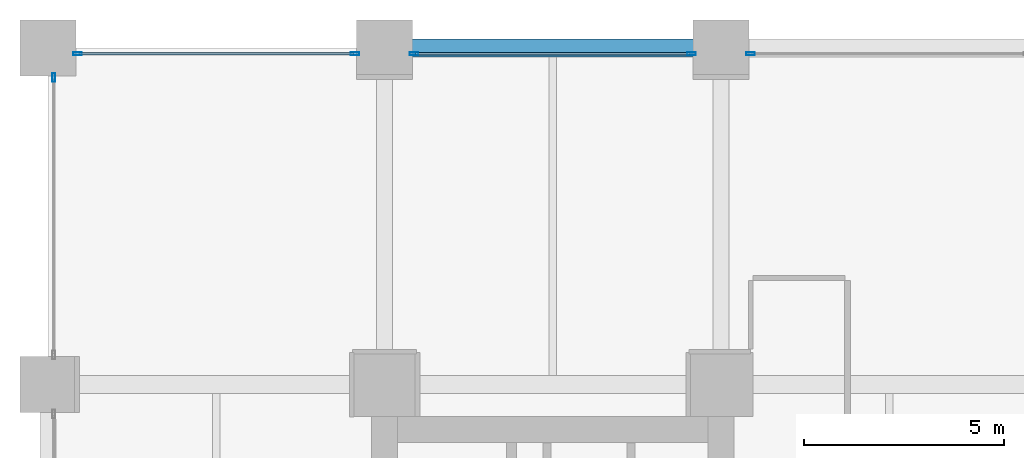
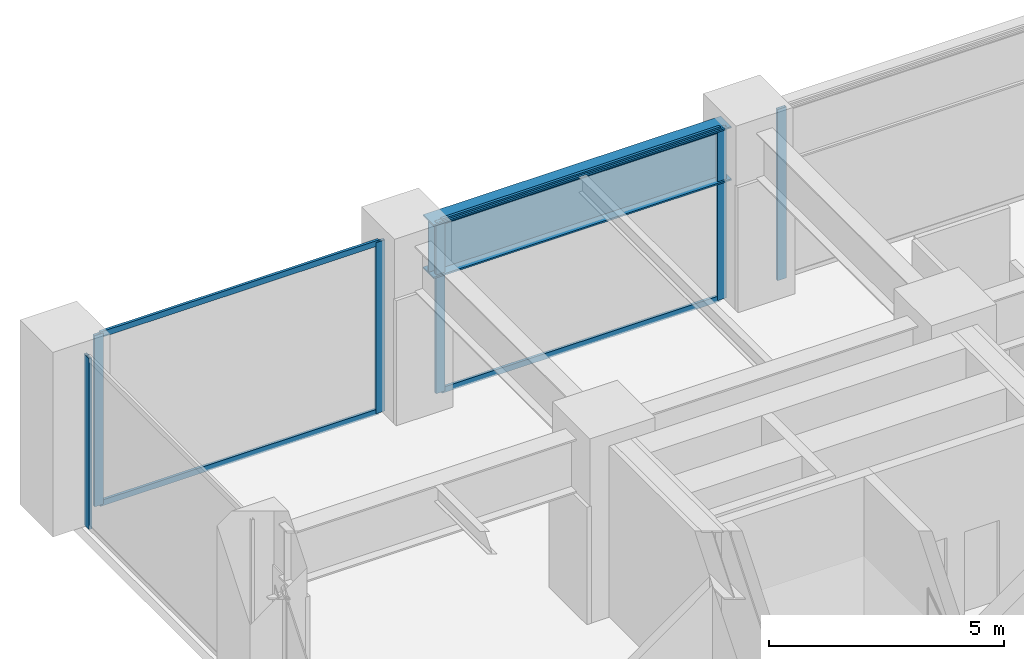
# One storey, part 12 of 24: 10 members, 1 beam, 4 elements without a shape of their own.
"""IFC4 building model written with IfcOpenShell, lengths in metres."""

from ifc_helpers import new_model, si_unit, direction, frame, origin, origin_2d, place, context, subcontext, project, spatial, hollow_rectangle, i_section, extrude, material, layer, layer_set, material_profile, profile_set, type_object, element, aggregate, save


model = new_model("IFC4")

# Units and contexts
model_context = context("Model", 3, precision=1e-05, world=origin(), true_north=direction((0.0, 1.0)))
body_context = subcontext(model_context, "Body", "Model", "MODEL_VIEW")
ifc_project = project(units=[si_unit("LENGTHUNIT", "METRE"), si_unit("AREAUNIT", "SQUARE_METRE"), si_unit("VOLUMEUNIT", "CUBIC_METRE"), si_unit("PLANEANGLEUNIT", "RADIAN"), si_unit("MASSUNIT", "GRAM", prefix="KILO")], contexts=[model_context])

# Site, building, storey
site_placement = place(None, origin())
site = spatial("IfcSite", under=ifc_project, at=site_placement, CompositionType="ELEMENT")
building_placement = place(site_placement, origin())
building = spatial("IfcBuilding", under=site, at=building_placement, Name="Nerrivon Quay Data Exchange", CompositionType="ELEMENT")
storey_placement = place(building_placement, frame((0.0, 0.0, 15.0)))
storey = spatial("IfcBuildingStorey", under=building, at=storey_placement, Name="L03", CompositionType="ELEMENT", Elevation=15.0)

# Beam
ifc_material_1 = material(Name="Steel Grade 350", Category="steel")
ifc_material_profile_1 = material_profile(ifc_material_1, i_section(OverallWidth=0.449951171875, OverallDepth=1.39990234375, WebThickness=0.02001953125, FlangeThickness=0.0400390625, at=origin_2d()), Name="1400WG455")
ifc_profile_set_1 = profile_set([ifc_material_profile_1], Name="Steel Grade 350")
beam_type = type_object("IfcBeamType", Name="BM-TG1-1400WG", PredefinedType="USERDEFINED", material=ifc_profile_set_1)
beam_placement = place(storey_placement, frame((8.93994140625, 50.39990234375, 3.75), z_axis=(1.0, 0.0, 0.0), x_axis=(0.0, 1.0, 0.0)))
element("IfcBeam", 1, at=beam_placement, inside=storey, type_object=beam_type, Name="L03 EW Girder Y=50.4 (8.4..16.8)", ObjectType="TRANSFER", PredefinedType="USERDEFINED", context=body_context, shape_type="SweptSolid", body=[
    extrude(i_section(OverallWidth=0.449951171875, OverallDepth=1.39990234375, WebThickness=0.02001953125, FlangeThickness=0.0400390625, at=origin_2d()), origin(), (0.0, 0.0, 1.0), 7.320068359375),
])

# Curtain wall, member
ifc_material_2 = material(Name="Anodised aluminium 6063-T6", Category="aluminium")
ifc_layer = layer(ifc_material_2, 0.239990234375)
ifc_layer_set = layer_set([ifc_layer], Name="Anodised aluminium 6063-T6")
curtain_wall_type = type_object("IfcCurtainWallType", Name="CW-SYS-03", PredefinedType="NOTDEFINED", material=ifc_layer_set)
curtain_wall_1_placement = place(storey_placement, origin())
curtain_wall_1 = element("IfcCurtainWall", 2, at=curtain_wall_1_placement, inside=storey, type_object=curtain_wall_type, Name="L03 Unitised Curtain Wall 6", PredefinedType="NOTDEFINED")
ifc_material_profile_2 = material_profile(ifc_material_2, hollow_rectangle(XDim=0.074951171875, YDim=0.219970703125, WallThickness=0.00390625, at=origin_2d()), Name="ALU-MULL-220x75")
ifc_profile_set_2 = profile_set([ifc_material_profile_2], Name="Anodised aluminium 6063-T6")
member_type_1 = type_object("IfcMemberType", Name="CWM-220x75", PredefinedType="MULLION", material=ifc_profile_set_2)
member_1_placement = place(storey_placement, frame((0.139892578125, 49.66259765625, 0.0), z_axis=(0.0, 0.0, 1.0), x_axis=(-1.0, 0.0, 0.0)))
member_1 = element("IfcMember", 3, at=member_1_placement, type_object=member_type_1, Name="CW03 mullion 2", PredefinedType="MULLION", context=body_context, shape_type="SweptSolid", body=[
    extrude(hollow_rectangle(XDim=0.074951171875, YDim=0.219970703125, WallThickness=0.00390625, at=origin_2d()), origin(), (0.0, 0.0, 1.0), 4.449951171875),
])
aggregate(curtain_wall_1, [member_1])

# Curtain wall, members
curtain_wall_2_placement = place(storey_placement, origin())
curtain_wall_2 = element("IfcCurtainWall", 4, at=curtain_wall_2_placement, inside=storey, type_object=curtain_wall_type, Name="L03 Unitised Curtain Wall 7", PredefinedType="NOTDEFINED")
member_2_placement = place(storey_placement, frame((0.737548828125, 50.260009765625, 0.0), z_axis=(0.0, 0.0, 1.0), x_axis=(0.0, 1.0, 0.0)))
member_2 = element("IfcMember", 5, at=member_2_placement, type_object=member_type_1, Name="CW03 mullion 1", PredefinedType="MULLION", context=body_context, shape_type="SweptSolid", body=[
    extrude(hollow_rectangle(XDim=0.074951171875, YDim=0.219970703125, WallThickness=0.00390625, at=origin_2d()), origin(), (0.0, 0.0, 1.0), 4.449951171875),
])
member_3_placement = place(storey_placement, frame((7.66259765625, 50.260009765625, 0.0), z_axis=(0.0, 0.0, 1.0), x_axis=(0.0, 1.0, 0.0)))
member_3 = element("IfcMember", 6, at=member_3_placement, type_object=member_type_1, Name="CW03 mullion 2", PredefinedType="MULLION", context=body_context, shape_type="SweptSolid", body=[
    extrude(hollow_rectangle(XDim=0.074951171875, YDim=0.219970703125, WallThickness=0.00390625, at=origin_2d()), origin(), (0.0, 0.0, 1.0), 4.449951171875),
])

curtain_wall_3_placement = place(storey_placement, origin())
curtain_wall_3 = element("IfcCurtainWall", 7, at=curtain_wall_3_placement, inside=storey, type_object=curtain_wall_type, Name="L03 Unitised Curtain Wall 8", PredefinedType="NOTDEFINED")
member_4_placement = place(storey_placement, frame((9.137451171875, 50.260009765625, 0.0), z_axis=(0.0, 0.0, 1.0), x_axis=(0.0, 1.0, 0.0)))
member_4 = element("IfcMember", 8, at=member_4_placement, type_object=member_type_1, Name="CW03 mullion 1", PredefinedType="MULLION", context=body_context, shape_type="SweptSolid", body=[
    extrude(hollow_rectangle(XDim=0.074951171875, YDim=0.219970703125, WallThickness=0.00390625, at=origin_2d()), origin(), (0.0, 0.0, 1.0), 4.449951171875),
])
member_5_placement = place(storey_placement, frame((16.0625, 50.260009765625, 0.0), z_axis=(0.0, 0.0, 1.0), x_axis=(0.0, 1.0, 0.0)))
member_5 = element("IfcMember", 9, at=member_5_placement, type_object=member_type_1, Name="CW03 mullion 2", PredefinedType="MULLION", context=body_context, shape_type="SweptSolid", body=[
    extrude(hollow_rectangle(XDim=0.074951171875, YDim=0.219970703125, WallThickness=0.00390625, at=origin_2d()), origin(), (0.0, 0.0, 1.0), 4.449951171875),
])

# Curtain wall, member
curtain_wall_4_placement = place(storey_placement, origin())
curtain_wall_4 = element("IfcCurtainWall", 10, at=curtain_wall_4_placement, inside=storey, type_object=curtain_wall_type, Name="L03 Unitised Curtain Wall 9", PredefinedType="NOTDEFINED")
member_6_placement = place(storey_placement, frame((17.53759765625, 50.260009765625, 0.0), z_axis=(0.0, 0.0, 1.0), x_axis=(0.0, 1.0, 0.0)))
member_6 = element("IfcMember", 11, at=member_6_placement, type_object=member_type_1, Name="CW03 mullion 1", PredefinedType="MULLION", context=body_context, shape_type="SweptSolid", body=[
    extrude(hollow_rectangle(XDim=0.074951171875, YDim=0.219970703125, WallThickness=0.00390625, at=origin_2d()), origin(), (0.0, 0.0, 1.0), 4.449951171875),
])
aggregate(curtain_wall_4, [member_6])

# Member
ifc_material_profile_3 = material_profile(ifc_material_2, hollow_rectangle(XDim=0.06494140625, YDim=0.14990234375, WallThickness=0.00341796875, at=origin_2d()), Name="ALU-TRAN-150x65")
ifc_profile_set_3 = profile_set([ifc_material_profile_3], Name="Anodised aluminium 6063-T6")
member_type_2 = type_object("IfcMemberType", Name="CWT-150x65", PredefinedType="USERDEFINED", material=ifc_profile_set_3)
member_7_placement = place(storey_placement, frame((0.77490234375, 50.260009765625, 0.032470703125), z_axis=(1.0, 0.0, 0.0), x_axis=(0.0, 1.0, 0.0)))
member_7 = element("IfcMember", 12, at=member_7_placement, type_object=member_type_2, Name="CW03 transom 1.1", ObjectType="TRANSOM", PredefinedType="USERDEFINED", context=body_context, shape_type="SweptSolid", body=[
    extrude(hollow_rectangle(XDim=0.06494140625, YDim=0.14990234375, WallThickness=0.00341796875, at=origin_2d()), origin(), (0.0, 0.0, 1.0), 6.85009765625),
])

member_8_placement = place(storey_placement, frame((0.77490234375, 50.260009765625, 4.41748046875), z_axis=(1.0, 0.0, 0.0), x_axis=(0.0, 1.0, 0.0)))
member_8 = element("IfcMember", 13, at=member_8_placement, type_object=member_type_2, Name="CW03 transom 1.2", ObjectType="TRANSOM", PredefinedType="USERDEFINED", context=body_context, shape_type="SweptSolid", body=[
    extrude(hollow_rectangle(XDim=0.06494140625, YDim=0.14990234375, WallThickness=0.00341796875, at=origin_2d()), origin(), (0.0, 0.0, 1.0), 6.85009765625),
])

aggregate(curtain_wall_2, [member_2, member_3, member_7, member_8])

member_9_placement = place(storey_placement, frame((9.175048828125, 50.260009765625, 0.032470703125), z_axis=(1.0, 0.0, 0.0), x_axis=(0.0, 1.0, 0.0)))
member_9 = element("IfcMember", 14, at=member_9_placement, type_object=member_type_2, Name="CW03 transom 1.1", ObjectType="TRANSOM", PredefinedType="USERDEFINED", context=body_context, shape_type="SweptSolid", body=[
    extrude(hollow_rectangle(XDim=0.06494140625, YDim=0.14990234375, WallThickness=0.00341796875, at=origin_2d()), origin(), (0.0, 0.0, 1.0), 6.849853515625),
])

member_10_placement = place(storey_placement, frame((9.175048828125, 50.260009765625, 4.41748046875), z_axis=(1.0, 0.0, 0.0), x_axis=(0.0, 1.0, 0.0)))
member_10 = element("IfcMember", 15, at=member_10_placement, type_object=member_type_2, Name="CW03 transom 1.2", ObjectType="TRANSOM", PredefinedType="USERDEFINED", context=body_context, shape_type="SweptSolid", body=[
    extrude(hollow_rectangle(XDim=0.06494140625, YDim=0.14990234375, WallThickness=0.00341796875, at=origin_2d()), origin(), (0.0, 0.0, 1.0), 6.849853515625),
])

aggregate(curtain_wall_3, [member_4, member_5, member_9, member_10])

save(model, "model.ifc")
